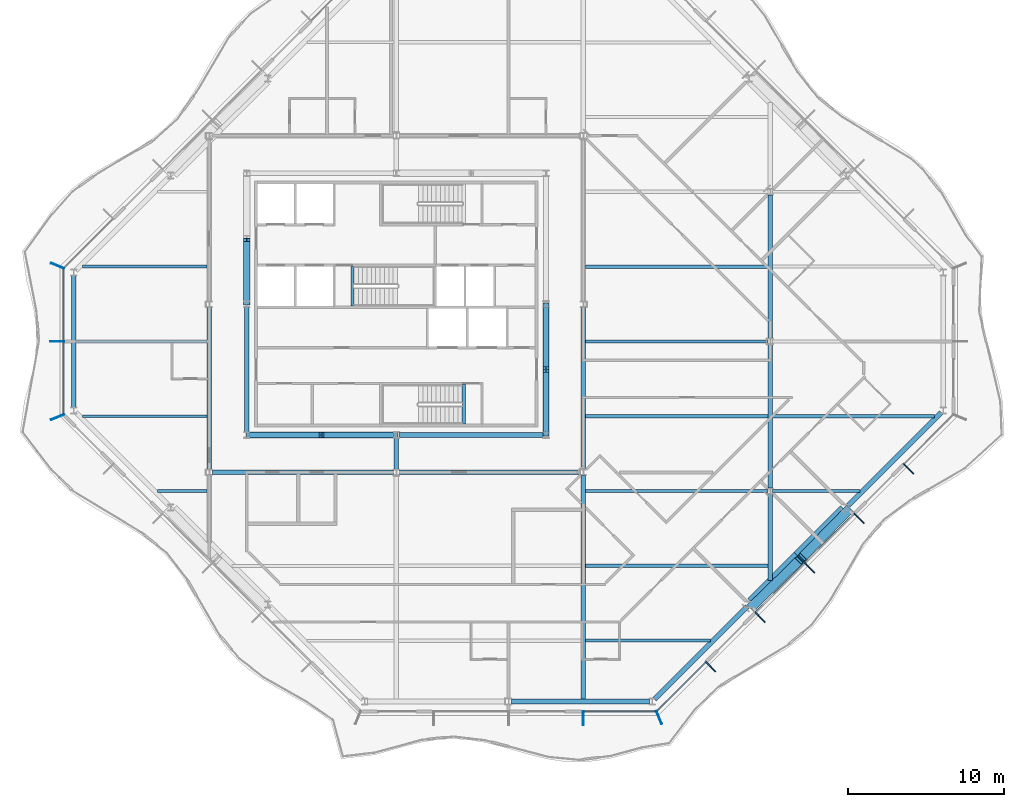
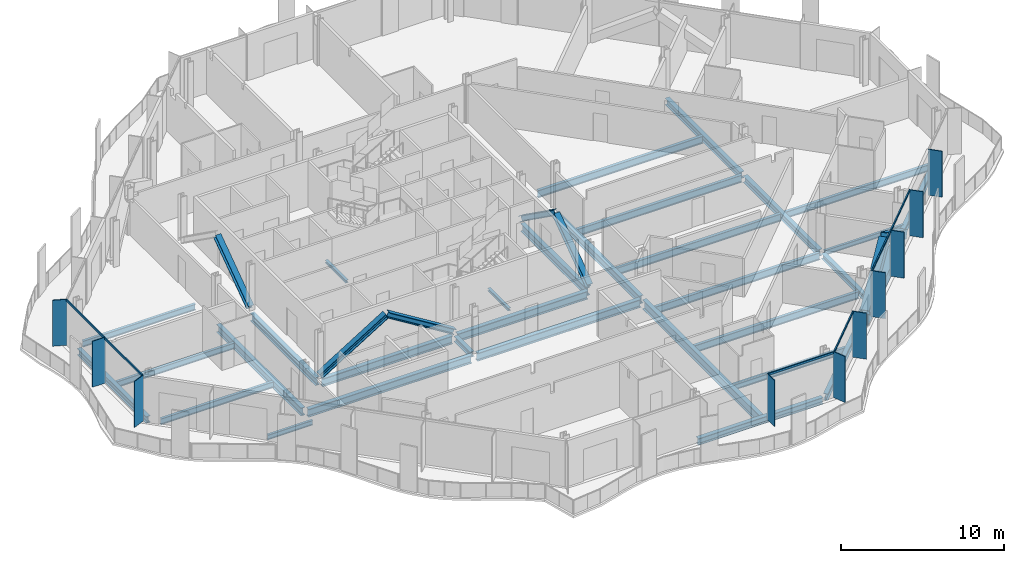
# One storey, part 3 of 17: 33 beams, 23 members, 4 elements without a shape of their own.
"""IFC4 building model written with IfcOpenShell, lengths in metres."""

import ifcopenshell
import ifcopenshell.guid

model = None  # the IFC model being written
_history = None  # IfcOwnerHistory: only IFC2X3 demands one
_inside = {}  # id of a spatial element -> (the spatial element, [elements in it])
_under = {}  # id of a project, library or spatial element -> (it, [spatial elements below it])
_declared = {}  # id of a project -> (the project, [libraries it declares])
_typed = {}  # id of a type object -> (the type object, [elements of that type])
_made_of = {}  # id of a material, layer set ... -> (it, [elements and type objects made of it])


def new_model(schema):
    """Start an empty IFC model of exactly this schema.

    Asked for "IFC4X3", IfcOpenShell would pick the latest addendum, in which some entities
    have other attributes; the version numbers below select the first issue.
    IFC2X3 requires an IfcOwnerHistory on every rooted entity: one is made here for all.
    """
    global model, _history
    if schema == "IFC4X3":
        model = ifcopenshell.file(schema_version=(4, 3, 0, 0))
    else:
        model = ifcopenshell.file(schema=schema)
    _inside.clear()
    _under.clear()
    _declared.clear()
    _typed.clear()
    _made_of.clear()
    _history = None
    if model.schema == "IFC2X3":
        org = make("IfcOrganization", Name="unknown")
        user = make(
            "IfcPersonAndOrganization",
            ThePerson=make("IfcPerson", FamilyName="unknown"),
            TheOrganization=org,
        )
        app = make(
            "IfcApplication",
            ApplicationDeveloper=org,
            Version="unknown",
            ApplicationFullName="unknown",
            ApplicationIdentifier="unknown",
        )
        _history = make(
            "IfcOwnerHistory",
            OwningUser=user,
            OwningApplication=app,
            ChangeAction="ADDED",
            CreationDate=0,
        )
    return model


def make(cls, **values):
    """One entity of the class cls with the attributes given. An attribute that is None is left unset."""
    return model.create_entity(
        cls, **{name: value for name, value in values.items() if value is not None}
    )


def rooted(cls, **values):
    """An entity with a GlobalId (a new one), such as an element, a storey or a relation."""
    return make(cls, GlobalId=ifcopenshell.guid.new(), OwnerHistory=_history, **values)


def si_unit(unit_type, name, prefix=None):
    """IfcSIUnit, for example si_unit("LENGTHUNIT", "METRE", prefix="MILLI")."""
    return make("IfcSIUnit", UnitType=unit_type, Prefix=prefix, Name=name)


def assignment(units):
    """IfcUnitAssignment: the units of a project."""
    return None if units is None else make("IfcUnitAssignment", Units=units)


def point(xyz):
    """IfcCartesianPoint."""
    return None if xyz is None else make("IfcCartesianPoint", Coordinates=xyz)


def direction(xyz):
    """IfcDirection."""
    return None if xyz is None else make("IfcDirection", DirectionRatios=xyz)


def frame(location, z_axis=None, x_axis=None):
    """IfcAxis2Placement3D, a coordinate frame: its origin and axes. An axis left out is left unset."""
    return make(
        "IfcAxis2Placement3D",
        Location=point(location),
        Axis=direction(z_axis),
        RefDirection=direction(x_axis),
    )


def frame_2d(location, x_axis=None):
    """IfcAxis2Placement2D, a coordinate frame in the plane: its origin and x axis."""
    return make(
        "IfcAxis2Placement2D", Location=point(location), RefDirection=direction(x_axis)
    )


def origin():
    """The frame at (0, 0, 0) with its axes left unset."""
    return frame((0.0, 0.0, 0.0))


def origin_2d():
    """The frame at (0, 0) in the plane with its x axis left unset."""
    return frame_2d((0.0, 0.0))


def place(relative_to, where):
    """IfcLocalPlacement: puts the frame where relative to a parent placement (None: the world)."""
    return make(
        "IfcLocalPlacement", PlacementRelTo=relative_to, RelativePlacement=where
    )


def context(
    kind, dimensions, precision=None, world=None, true_north=None, identifier=None
):
    """IfcGeometricRepresentationContext, for example the 3D "Model" context."""
    return make(
        "IfcGeometricRepresentationContext",
        ContextIdentifier=identifier,
        ContextType=kind,
        CoordinateSpaceDimension=dimensions,
        Precision=precision,
        WorldCoordinateSystem=world,
        TrueNorth=true_north,
    )


def subcontext(parent, identifier, kind, view, scale=None):
    """IfcGeometricRepresentationSubContext, for example "Body" below "Model"."""
    return make(
        "IfcGeometricRepresentationSubContext",
        ContextIdentifier=identifier,
        ContextType=kind,
        ParentContext=parent,
        TargetScale=scale,
        TargetView=view,
    )


def project(units=None, contexts=None):
    """IfcProject with its units and contexts."""
    return rooted(
        "IfcProject",
        Name="project",
        RepresentationContexts=contexts,
        UnitsInContext=assignment(units),
    )


def spatial(cls, under=None, at=None, **own):
    """A site, building, storey or space (cls), placed at a placement, below another one or the project."""
    s = rooted(cls, ObjectPlacement=at, **own)
    if under is not None:
        _under.setdefault(under.id(), (under, []))[1].append(s)
    return s


def profile(cls, at=None, kind="AREA", **sizes):
    """A parametric profile (cls). Its sizes go by their IFC names, for example OverallWidth=200.0."""
    return make(cls, ProfileType=kind, Position=at, **sizes)


def rectangle(**sizes):
    """IfcRectangleProfileDef."""
    return profile("IfcRectangleProfileDef", **sizes)


def hollow_rectangle(**sizes):
    """IfcRectangleHollowProfileDef."""
    return profile("IfcRectangleHollowProfileDef", **sizes)


def i_section(**sizes):
    """IfcIShapeProfileDef."""
    return profile("IfcIShapeProfileDef", **sizes)


def extrude(swept, where, along, depth):
    """IfcExtrudedAreaSolid: the profile swept, set in the frame where, extruded along a direction by depth."""
    return make(
        "IfcExtrudedAreaSolid",
        SweptArea=swept,
        Position=where,
        ExtrudedDirection=direction(along),
        Depth=depth,
    )


def shape(context_of_items, identifier, shape_type, items):
    """IfcShapeRepresentation: the items that make up one representation, for example the "Body"."""
    return make(
        "IfcShapeRepresentation",
        ContextOfItems=context_of_items,
        RepresentationIdentifier=identifier,
        RepresentationType=shape_type,
        Items=items,
    )


def material(Name=None, Category=None):
    """IfcMaterial."""
    return make("IfcMaterial", Name=Name, Category=Category)


def material_profile(
    of_material, cross_section, Name=None, Category=None, Priority=None
):
    """IfcMaterialProfile: a cross section and its material."""
    return make(
        "IfcMaterialProfile",
        Name=Name,
        Material=of_material,
        Profile=cross_section,
        Priority=Priority,
        Category=Category,
    )


def profile_set(profiles, Name=None, composite=None):
    """IfcMaterialProfileSet."""
    return make(
        "IfcMaterialProfileSet",
        Name=Name,
        MaterialProfiles=profiles,
        CompositeProfile=composite,
    )


def made_of(thing, what):
    """Note that an element or type object is made of a material, layer set ...; save() writes the relation."""
    if what is not None:
        _made_of.setdefault(what.id(), (what, []))[1].append(thing)
    return thing


def type_object(cls, material=None, **own):
    """A type object (cls), such as IfcWallType, which elements share."""
    return made_of(rooted(cls, **own), material)


def element(
    cls,
    number,
    at=None,
    inside=None,
    cuts=None,
    type_object=None,
    material=None,
    context=None,
    identifier="Body",
    shape_type=None,
    held_by="IfcProductDefinitionShape",
    body=None,
    shapes=None,
    **own,
):
    """One element of the class cls, such as IfcWall. Its Tag is "e" and its number.

    at: its placement. inside: the storey or other place that contains it. cuts: it is an
    opening in that element (IfcRelVoidsElement). A single representation is given by context,
    identifier, shape_type and body (its items); several are given by shapes. held_by: the class
    of the entity that holds the representations. save() writes the other relations.
    """
    e = rooted(cls, Tag="e%d" % number, ObjectPlacement=at, **own)
    if body is not None:
        shapes = [shape(context, identifier, shape_type, body)]
    if shapes is not None:
        e.Representation = make(held_by, Representations=shapes)
    if inside is not None:
        _inside.setdefault(inside.id(), (inside, []))[1].append(e)
    if cuts is not None:
        rooted(
            "IfcRelVoidsElement", RelatingBuildingElement=cuts, RelatedOpeningElement=e
        )
    if type_object is not None:
        _typed.setdefault(type_object.id(), (type_object, []))[1].append(e)
    return made_of(e, material)


def aggregate(whole, parts):
    """IfcRelAggregates: a whole, such as a stair, and the parts it consists of."""
    return rooted("IfcRelAggregates", RelatingObject=whole, RelatedObjects=parts)


def save(model, path):
    """Write the relations noted so far, then the file.

    IfcRelAggregates (storeys below a building ...), IfcRelContainedInSpatialStructure (elements
    in a storey), IfcRelDefinesByType, IfcRelAssociatesMaterial and IfcRelDeclares: one each for
    every whole, place, type object, material and project.
    """
    for whole, parts in _under.values():
        aggregate(whole, parts)
    for where, things in _inside.values():
        rooted(
            "IfcRelContainedInSpatialStructure",
            RelatedElements=things,
            RelatingStructure=where,
        )
    for kind, things in _typed.values():
        rooted("IfcRelDefinesByType", RelatedObjects=things, RelatingType=kind)
    for what, things in _made_of.values():
        rooted("IfcRelAssociatesMaterial", RelatedObjects=things, RelatingMaterial=what)
    for by, libraries in _declared.values():
        rooted("IfcRelDeclares", RelatingContext=by, RelatedDefinitions=libraries)
    model.write(path)


model = new_model("IFC4")

# Units and contexts
model_context = context("Model", 3, precision=1e-05, world=origin(), true_north=direction((0.0, 1.0)))
body_context = subcontext(model_context, "Body", "Model", "MODEL_VIEW")
ifc_project = project(units=[si_unit("LENGTHUNIT", "METRE"), si_unit("AREAUNIT", "SQUARE_METRE"), si_unit("VOLUMEUNIT", "CUBIC_METRE"), si_unit("PLANEANGLEUNIT", "RADIAN"), si_unit("MASSUNIT", "GRAM", prefix="KILO")], contexts=[model_context])

# Site, building, storey
site_placement = place(None, origin())
site = spatial("IfcSite", under=ifc_project, at=site_placement, CompositionType="ELEMENT")
building_placement = place(site_placement, origin())
building = spatial("IfcBuilding", under=site, at=building_placement, Name="Cairn Pilgrim Tower", CompositionType="ELEMENT")
storey_placement = place(building_placement, frame((0.0, 0.0, 232.199951171875)))
storey = spatial("IfcBuildingStorey", under=building, at=storey_placement, Name="L59", CompositionType="ELEMENT", Elevation=232.199951171875)

# Members
ifc_material_1 = material(Name="Structural steel S460M", Category="steel")
ifc_material_profile_1 = material_profile(ifc_material_1, hollow_rectangle(XDim=0.60009765625, YDim=0.60009765625, WallThickness=0.034912109375, at=origin_2d()), Name="BOX 600x600x35")
ifc_profile_set_1 = profile_set([ifc_material_profile_1], Name="Structural steel S460M")
member_type_1 = type_object("IfcMemberType", Name="BOX 600x600x35 BRACE", PredefinedType="BRACE", material=ifc_profile_set_1)
for number, where, z_axis, x_axis, name in (
    (1, (30.02392578125, -17.00146484375, 0.150146484375), (0.610009201523, 0.594778373814, 0.523571828979), (-0.698111810848, 0.715988756584, 0.0), "XB-SE2-SE3-1"),
    (2, (36.201416015625, -10.823974609375, 0.150146484375), (-0.594778373814, -0.610009201523, 0.523571828979), (0.715988756584, -0.698111810848, 0.0), "XB-SE2-SE3-2"),
):
    element("IfcMember", number, at=place(storey_placement, frame(where, z_axis=z_axis, x_axis=x_axis)), inside=storey, type_object=member_type_1, Name=name, PredefinedType="BRACE", context=body_context, shape_type="SweptSolid", body=[
        extrude(hollow_rectangle(XDim=0.60009765625, YDim=0.60009765625, WallThickness=0.034912109375, at=origin_2d()), origin(), (0.0, 0.0, 1.0), 5.033203125),
    ])

# Beams
ifc_material_2 = material(Name="Structural steel S355J2", Category="steel")
ifc_material_profile_2 = material_profile(ifc_material_2, hollow_rectangle(XDim=0.699951171875, YDim=0.800048828125, WallThickness=0.0400390625, at=origin_2d()), Name="BOX 700x800x40")
ifc_profile_set_2 = profile_set([ifc_material_profile_2], Name="Structural steel S355J2")
beam_type_1 = type_object("IfcBeamType", Name="BOX 700x800x40 RING GIRDER", PredefinedType="SPANDREL", material=ifc_profile_set_2)
beam_1_placement = place(storey_placement, frame((29.98388671875, -16.743408203125, -0.550048828125), z_axis=(0.707106781187, 0.707106781187, 0.0), x_axis=(-0.707106781187, 0.707106781187, 0.0)))
element("IfcBeam", 3, at=beam_1_placement, inside=storey, type_object=beam_type_1, Name="RG3-SE2-SE3-1", PredefinedType="SPANDREL", context=body_context, shape_type="SweptSolid", body=[
    extrude(hollow_rectangle(XDim=0.699951171875, YDim=0.800048828125, WallThickness=0.0400390625, at=origin_2d()), origin(), (0.0, 0.0, 1.0), 4.2138671875),
])
beam_2_placement = place(storey_placement, frame((32.963623046875, -13.763671875, -0.550048828125), z_axis=(0.707077813866, 0.707135747321, 0.0), x_axis=(-0.707135747321, 0.707077813866, 0.0)))
element("IfcBeam", 4, at=beam_2_placement, inside=storey, type_object=beam_type_1, Name="RG3-SE2-SE3-2", PredefinedType="SPANDREL", context=body_context, shape_type="SweptSolid", body=[
    extrude(hollow_rectangle(XDim=0.699951171875, YDim=0.800048828125, WallThickness=0.0400390625, at=origin_2d()), origin(), (0.0, 0.0, 1.0), 4.214111328125),
])

# Curtain wall, member
ifc_material_3 = material(Name="Aluminium alloy 6063-T6 bronze anodised with Bronze tinted laminated low-E glass 8+16+8.8", Category="aluminium")
curtain_wall_type_1 = type_object("IfcCurtainWallType", Name="TOWER STICK CURTAIN WALL NS", PredefinedType="NOTDEFINED", material=ifc_material_3)
curtain_wall_1_placement = place(storey_placement, origin())
curtain_wall_1 = element("IfcCurtainWall", 5, at=curtain_wall_1_placement, inside=storey, type_object=curtain_wall_type_1, Name="Tower Stick Curtain Wall Ns S", PredefinedType="NOTDEFINED")
ifc_material_4 = material(Name="Aluminium alloy 6063-T6 bronze anodised", Category="aluminium")
ifc_material_profile_3 = material_profile(ifc_material_4, rectangle(XDim=0.89990234375, YDim=0.06005859375, at=origin_2d()), Name="FIN MULLION 60x900 BRONZE")
ifc_profile_set_3 = profile_set([ifc_material_profile_3], Name="Aluminium alloy 6063-T6 bronze anodised")
member_type_2 = type_object("IfcMemberType", Name="FIN MULLION 60x900 BRONZE", PredefinedType="MULLION", material=ifc_profile_set_3)
member_1_placement = place(storey_placement, frame((19.199951171875, -24.169921875, 0.0), z_axis=(0.0, 0.0, 1.0), x_axis=(0.0, -1.0, 0.0)))
member_1 = element("IfcMember", 6, at=member_1_placement, type_object=member_type_2, Name="Fin mullion S4", PredefinedType="MULLION", context=body_context, shape_type="SweptSolid", body=[
    extrude(rectangle(XDim=0.89990234375, YDim=0.06005859375, at=origin_2d()), origin(), (0.0, 0.0, 1.0), 3.449951171875),
])

# Curtain wall, members
curtain_wall_type_2 = type_object("IfcCurtainWallType", Name="CHAMFER CORNER CURTAIN WALL", PredefinedType="NOTDEFINED", material=ifc_material_3)
curtain_wall_2_placement = place(storey_placement, origin())
curtain_wall_2 = element("IfcCurtainWall", 7, at=curtain_wall_2_placement, inside=storey, type_object=curtain_wall_type_2, Name="Chamfer Corner Curtain Wall SE", PredefinedType="NOTDEFINED")
member_2_placement = place(storey_placement, frame((24.05712890625, -24.137939453125, 0.0), z_axis=(0.0, 0.0, 1.0), x_axis=(0.382683432365, -0.923879532511, 0.0)))
member_2 = element("IfcMember", 8, at=member_2_placement, type_object=member_type_2, Name="Fin mullion SE1", PredefinedType="MULLION", context=body_context, shape_type="SweptSolid", body=[
    extrude(rectangle(XDim=0.89990234375, YDim=0.06005859375, at=origin_2d()), origin(), (0.0, 0.0, 1.0), 3.449951171875),
])
member_3_placement = place(storey_placement, frame((27.369140625, -20.871337890625, 0.0), z_axis=(0.0, 0.0, 1.0), x_axis=(0.707106781187, -0.707106781187, 0.0)))
member_3 = element("IfcMember", 9, at=member_3_placement, type_object=member_type_2, Name="Fin mullion SE2", PredefinedType="MULLION", context=body_context, shape_type="SweptSolid", body=[
    extrude(rectangle(XDim=0.89990234375, YDim=0.06005859375, at=origin_2d()), origin(), (0.0, 0.0, 1.0), 3.449951171875),
])
member_4_placement = place(storey_placement, frame((30.544677734375, -17.69580078125, 0.0), z_axis=(0.0, 0.0, 1.0), x_axis=(0.707106781187, -0.707106781187, 0.0)))
member_4 = element("IfcMember", 10, at=member_4_placement, type_object=member_type_2, Name="Fin mullion SE3", PredefinedType="MULLION", context=body_context, shape_type="SweptSolid", body=[
    extrude(rectangle(XDim=0.89990234375, YDim=0.06005859375, at=origin_2d()), origin(), (0.0, 0.0, 1.0), 3.449951171875),
])
member_5_placement = place(storey_placement, frame((33.72021484375, -14.520263671875, 0.0), z_axis=(0.0, 0.0, 1.0), x_axis=(0.707106781187, -0.707106781187, 0.0)))
member_5 = element("IfcMember", 11, at=member_5_placement, type_object=member_type_2, Name="Fin mullion SE4", PredefinedType="MULLION", context=body_context, shape_type="SweptSolid", body=[
    extrude(rectangle(XDim=0.89990234375, YDim=0.06005859375, at=origin_2d()), origin(), (0.0, 0.0, 1.0), 3.449951171875),
])
member_6_placement = place(storey_placement, frame((36.895751953125, -11.3447265625, 0.0), z_axis=(0.0, 0.0, 1.0), x_axis=(0.707106781187, -0.707106781187, 0.0)))
member_6 = element("IfcMember", 12, at=member_6_placement, type_object=member_type_2, Name="Fin mullion SE5", PredefinedType="MULLION", context=body_context, shape_type="SweptSolid", body=[
    extrude(rectangle(XDim=0.89990234375, YDim=0.06005859375, at=origin_2d()), origin(), (0.0, 0.0, 1.0), 3.449951171875),
])
member_7_placement = place(storey_placement, frame((40.0712890625, -8.1689453125, 0.0), z_axis=(0.0, 0.0, 1.0), x_axis=(0.707106781187, -0.707106781187, 0.0)))
member_7 = element("IfcMember", 13, at=member_7_placement, type_object=member_type_2, Name="Fin mullion SE6", PredefinedType="MULLION", context=body_context, shape_type="SweptSolid", body=[
    extrude(rectangle(XDim=0.89990234375, YDim=0.06005859375, at=origin_2d()), origin(), (0.0, 0.0, 1.0), 3.449951171875),
])

curtain_wall_type_3 = type_object("IfcCurtainWallType", Name="TOWER STICK CURTAIN WALL EW", PredefinedType="NOTDEFINED", material=ifc_material_3)
curtain_wall_3_placement = place(storey_placement, origin())
curtain_wall_3 = element("IfcCurtainWall", 14, at=curtain_wall_3_placement, inside=storey, type_object=curtain_wall_type_3, Name="Tower Stick Curtain Wall Ew W", PredefinedType="NOTDEFINED")
member_8_placement = place(storey_placement, frame((-14.5380859375, 4.857177734375, 0.0), z_axis=(0.0, 0.0, 1.0), x_axis=(-0.923879532511, 0.382683432365, 0.0)))
member_8 = element("IfcMember", 15, at=member_8_placement, type_object=member_type_2, Name="Fin mullion W1", PredefinedType="MULLION", context=body_context, shape_type="SweptSolid", body=[
    extrude(rectangle(XDim=0.89990234375, YDim=0.06005859375, at=origin_2d()), origin(), (0.0, 0.0, 1.0), 3.449951171875),
])
member_9_placement = place(storey_placement, frame((-14.570068359375, 0.0, 0.0), z_axis=(0.0, 0.0, 1.0), x_axis=(-1.0, 0.0, 0.0)))
member_9 = element("IfcMember", 16, at=member_9_placement, type_object=member_type_2, Name="Fin mullion W2", PredefinedType="MULLION", context=body_context, shape_type="SweptSolid", body=[
    extrude(rectangle(XDim=0.89990234375, YDim=0.06005859375, at=origin_2d()), origin(), (0.0, 0.0, 1.0), 3.449951171875),
])

# Curtain wall, member
curtain_wall_4_placement = place(storey_placement, origin())
curtain_wall_4 = element("IfcCurtainWall", 17, at=curtain_wall_4_placement, inside=storey, type_object=curtain_wall_type_2, Name="Chamfer Corner Curtain Wall SW", PredefinedType="NOTDEFINED")
member_10_placement = place(storey_placement, frame((-14.5380859375, -4.857177734375, 0.0), z_axis=(0.0, 0.0, 1.0), x_axis=(-0.923879532511, -0.382683432365, 0.0)))
member_10 = element("IfcMember", 18, at=member_10_placement, type_object=member_type_2, Name="Fin mullion SW1", PredefinedType="MULLION", context=body_context, shape_type="SweptSolid", body=[
    extrude(rectangle(XDim=0.89990234375, YDim=0.06005859375, at=origin_2d()), origin(), (0.0, 0.0, 1.0), 3.449951171875),
])
aggregate(curtain_wall_4, [member_10])

# Members
ifc_material_profile_4 = material_profile(ifc_material_2, i_section(OverallWidth=0.39794921875, OverallDepth=0.386962890625, WebThickness=0.02099609375, FlangeThickness=0.033203125, FilletRadius=0.014892578125, at=origin_2d()), Name="HD 400x262")
ifc_profile_set_4 = profile_set([ifc_material_profile_4], Name="Structural steel S355J2")
member_type_3 = type_object("IfcMemberType", Name="HD 400x262 BRACE", PredefinedType="BRACE", material=ifc_profile_set_4)
member_11_placement = place(storey_placement, frame((-2.359619140625, -6.0, 0.10009765625), z_axis=(0.851180404412, 0.0, 0.524873241025), x_axis=(0.0, 1.0, 0.0)))
element("IfcMember", 19, at=member_11_placement, inside=storey, type_object=member_type_3, Name="KB-1A", PredefinedType="BRACE", context=body_context, shape_type="SweptSolid", body=[
    extrude(i_section(OverallWidth=0.39794921875, OverallDepth=0.386962890625, WebThickness=0.02099609375, FlangeThickness=0.033203125, FilletRadius=0.014892578125, at=origin_2d()), origin(), (0.0, 0.0, 1.0), 5.529052734375),
])
member_12_placement = place(storey_placement, frame((7.15966796875, -6.0, 0.10009765625), z_axis=(-0.851192568136, 0.0, 0.524853514754), x_axis=(0.0, -1.0, 0.0)))
element("IfcMember", 20, at=member_12_placement, inside=storey, type_object=member_type_3, Name="KB-1B", PredefinedType="BRACE", context=body_context, shape_type="SweptSolid", body=[
    extrude(i_section(OverallWidth=0.39794921875, OverallDepth=0.386962890625, WebThickness=0.02099609375, FlangeThickness=0.033203125, FilletRadius=0.014892578125, at=origin_2d()), origin(), (0.0, 0.0, 1.0), 5.529296875),
])
member_13_placement = place(storey_placement, frame((16.800048828125, -5.959716796875, 0.10009765625), z_axis=(0.0, 0.814429122825, 0.580263047155), x_axis=(-1.0, 0.0, 0.0)))
element("IfcMember", 21, at=member_13_placement, inside=storey, type_object=member_type_3, Name="KB-2A", PredefinedType="BRACE", context=body_context, shape_type="SweptSolid", body=[
    extrude(i_section(OverallWidth=0.39794921875, OverallDepth=0.386962890625, WebThickness=0.02099609375, FlangeThickness=0.033203125, FilletRadius=0.014892578125, at=origin_2d()), origin(), (0.0, 0.0, 1.0), 4.999267578125),
])
for number, where, z_axis, x_axis, name in (
    (22, (16.800048828125, 2.359619140625, 0.10009765625), (0.0, -0.814412678688, 0.580286126659), (1.0, 0.0, 0.0), "KB-2B"),
    (23, (-2.39990234375, 2.4404296875, 0.10009765625), (0.0, 0.814412678688, 0.580286126659), (-1.0, 0.0, 0.0), "KB-4B"),
):
    element("IfcMember", number, at=place(storey_placement, frame(where, z_axis=z_axis, x_axis=x_axis)), inside=storey, type_object=member_type_3, Name=name, PredefinedType="BRACE", context=body_context, shape_type="SweptSolid", body=[
        extrude(i_section(OverallWidth=0.39794921875, OverallDepth=0.386962890625, WebThickness=0.02099609375, FlangeThickness=0.033203125, FilletRadius=0.014892578125, at=origin_2d()), origin(), (0.0, 0.0, 1.0), 4.9990234375),
    ])

# Beams
ifc_material_profile_5 = material_profile(ifc_material_2, i_section(OverallWidth=0.300048828125, OverallDepth=0.39990234375, WebThickness=0.013427734375, FlangeThickness=0.02392578125, FilletRadius=0.027099609375, at=origin_2d()), Name="HEB 400")
ifc_profile_set_5 = profile_set([ifc_material_profile_5], Name="Structural steel S355J2")
beam_type_2 = type_object("IfcBeamType", Name="HEB 400 GIRDER", PredefinedType="BEAM", material=ifc_profile_set_5)
beam_3_placement = place(storey_placement, frame((7.199951171875, -8.200439453125, -0.349853515625), z_axis=(0.0, 1.0, 0.0), x_axis=(-1.0, 0.0, 0.0)))
element("IfcBeam", 24, at=beam_3_placement, inside=storey, type_object=beam_type_2, Name="PG3-E1", PredefinedType="BEAM", context=body_context, shape_type="SweptSolid", body=[
    extrude(i_section(OverallWidth=0.300048828125, OverallDepth=0.39990234375, WebThickness=0.013427734375, FlangeThickness=0.02392578125, FilletRadius=0.027099609375, at=origin_2d()), origin(), (0.0, 0.0, 1.0), 1.99853515625),
])
beam_4_placement = place(storey_placement, frame((31.199951171875, -15.34521484375, -0.349853515625), z_axis=(0.0, 1.0, 0.0), x_axis=(-1.0, 0.0, 0.0)))
element("IfcBeam", 25, at=beam_4_placement, inside=storey, type_object=beam_type_2, Name="PG5-1", PredefinedType="BEAM", context=body_context, shape_type="SweptSolid", body=[
    extrude(i_section(OverallWidth=0.300048828125, OverallDepth=0.39990234375, WebThickness=0.013427734375, FlangeThickness=0.02392578125, FilletRadius=0.027099609375, at=origin_2d()), origin(), (0.0, 0.0, 1.0), 5.545654296875),
])
ifc_material_profile_6 = material_profile(ifc_material_2, i_section(OverallWidth=0.300048828125, OverallDepth=0.5, WebThickness=0.014404296875, FlangeThickness=0.028076171875, FilletRadius=0.027099609375, at=origin_2d()), Name="HEB 500")
ifc_profile_set_6 = profile_set([ifc_material_profile_6], Name="Structural steel S355J2")
beam_type_3 = type_object("IfcBeamType", Name="HEB 500 GIRDER", PredefinedType="BEAM", material=ifc_profile_set_6)
for number, where, z_axis, x_axis, name in (
    (26, (31.199951171875, -9.400390625, -0.39990234375), (0.0, 1.0, 0.0), (-1.0, 0.0, 0.0), "PG5-2"),
    (27, (31.199951171875, 0.199462890625, -0.39990234375), (0.0, 1.0, 0.0), (-1.0, 0.0, 0.0), "PG5-3"),
):
    element("IfcBeam", number, at=place(storey_placement, frame(where, z_axis=z_axis, x_axis=x_axis)), inside=storey, type_object=beam_type_3, Name=name, PredefinedType="BEAM", context=body_context, shape_type="SweptSolid", body=[
        extrude(i_section(OverallWidth=0.300048828125, OverallDepth=0.5, WebThickness=0.014404296875, FlangeThickness=0.028076171875, FilletRadius=0.027099609375, at=origin_2d()), origin(), (0.0, 0.0, 1.0), 9.200927734375),
    ])
ifc_material_profile_7 = material_profile(ifc_material_2, i_section(OverallWidth=0.300048828125, OverallDepth=0.5, WebThickness=0.014404296875, FlangeThickness=0.028076171875, FilletRadius=0.027099609375, at=origin_2d()), Name="HEB 500")
ifc_profile_set_7 = profile_set([ifc_material_profile_7], Name="Structural steel S355J2")
beam_type_4 = type_object("IfcBeamType", Name="HEB 500 RING GIRDER", PredefinedType="SPANDREL", material=ifc_profile_set_7)
beam_5_placement = place(storey_placement, frame((14.587158203125, -23.10009765625, -0.39990234375), z_axis=(1.0, 0.0, 0.0), x_axis=(0.0, 1.0, 0.0)))
element("IfcBeam", 28, at=beam_5_placement, inside=storey, type_object=beam_type_4, Name="RG3-S2-SE1", PredefinedType="SPANDREL", context=body_context, shape_type="SweptSolid", body=[
    extrude(i_section(OverallWidth=0.300048828125, OverallDepth=0.5, WebThickness=0.014404296875, FlangeThickness=0.028076171875, FilletRadius=0.027099609375, at=origin_2d()), origin(), (0.0, 0.0, 1.0), 8.852783203125),
])
for number, where, z_axis, x_axis, name in (
    (29, (23.759521484375, -22.967529296875, -0.39990234375), (0.707106781187, 0.707106781187, 0.0), (-0.707106781187, 0.707106781187, 0.0), "RG3-SE1-SE2"),
    (30, (36.2080078125, -10.51904296875, -0.39990234375), (0.707106781187, 0.707106781187, 0.0), (-0.707106781187, 0.707106781187, 0.0), "RG3-SE3-E1"),
):
    element("IfcBeam", number, at=place(storey_placement, frame(where, z_axis=z_axis, x_axis=x_axis)), inside=storey, type_object=beam_type_4, Name=name, PredefinedType="SPANDREL", context=body_context, shape_type="SweptSolid", body=[
        extrude(i_section(OverallWidth=0.300048828125, OverallDepth=0.5, WebThickness=0.014404296875, FlangeThickness=0.028076171875, FilletRadius=0.027099609375, at=origin_2d()), origin(), (0.0, 0.0, 1.0), 8.427978515625),
    ])
beam_6_placement = place(storey_placement, frame((-13.5, 4.239990234375, -0.39990234375), z_axis=(0.0, -1.0, 0.0), x_axis=(1.0, 0.0, 0.0)))
element("IfcBeam", 31, at=beam_6_placement, inside=storey, type_object=beam_type_4, Name="RG3-W1-SW1", PredefinedType="SPANDREL", context=body_context, shape_type="SweptSolid", body=[
    extrude(i_section(OverallWidth=0.300048828125, OverallDepth=0.5, WebThickness=0.014404296875, FlangeThickness=0.028076171875, FilletRadius=0.027099609375, at=origin_2d()), origin(), (0.0, 0.0, 1.0), 8.47998046875),
])
ifc_material_profile_8 = material_profile(ifc_material_2, i_section(OverallWidth=0.300048828125, OverallDepth=0.60009765625, WebThickness=0.015380859375, FlangeThickness=0.030029296875, FilletRadius=0.027099609375, at=origin_2d()), Name="HEB 600")
ifc_profile_set_8 = profile_set([ifc_material_profile_8], Name="Structural steel S355J2")
beam_type_5 = type_object("IfcBeamType", Name="HEB 600 CORE BEAM", PredefinedType="BEAM", material=ifc_profile_set_8)
beam_7_placement = place(storey_placement, frame((-2.21826171875, -6.0, -0.449951171875), z_axis=(1.0, 0.0, 0.0), x_axis=(0.0, 1.0, 0.0)))
element("IfcBeam", 32, at=beam_7_placement, inside=storey, type_object=beam_type_5, Name="CB-1", PredefinedType="BEAM", context=body_context, shape_type="SweptSolid", body=[
    extrude(i_section(OverallWidth=0.300048828125, OverallDepth=0.60009765625, WebThickness=0.015380859375, FlangeThickness=0.030029296875, FilletRadius=0.027099609375, at=origin_2d()), origin(), (0.0, 0.0, 1.0), 9.236572265625),
])
beam_8_placement = place(storey_placement, frame((7.3818359375, -6.0, -0.449951171875), z_axis=(1.0, 0.0, 0.0), x_axis=(0.0, 1.0, 0.0)))
element("IfcBeam", 33, at=beam_8_placement, inside=storey, type_object=beam_type_5, Name="CB-2", PredefinedType="BEAM", context=body_context, shape_type="SweptSolid", body=[
    extrude(i_section(OverallWidth=0.300048828125, OverallDepth=0.60009765625, WebThickness=0.015380859375, FlangeThickness=0.030029296875, FilletRadius=0.027099609375, at=origin_2d()), origin(), (0.0, 0.0, 1.0), 9.236328125),
])
for number, where, z_axis, x_axis, name in (
    (34, (16.800048828125, -5.818115234375, -0.449951171875), (0.0, 1.0, 0.0), (-1.0, 0.0, 0.0), "CB-3"),
    (35, (-2.39990234375, 2.21826171875, -0.449951171875), (0.0, -1.0, 0.0), (1.0, 0.0, 0.0), "CB-8"),
):
    element("IfcBeam", number, at=place(storey_placement, frame(where, z_axis=z_axis, x_axis=x_axis)), inside=storey, type_object=beam_type_5, Name=name, PredefinedType="BEAM", context=body_context, shape_type="SweptSolid", body=[
        extrude(i_section(OverallWidth=0.300048828125, OverallDepth=0.60009765625, WebThickness=0.015380859375, FlangeThickness=0.030029296875, FilletRadius=0.027099609375, at=origin_2d()), origin(), (0.0, 0.0, 1.0), 8.036376953125),
    ])
ifc_material_profile_9 = material_profile(ifc_material_2, i_section(OverallWidth=0.300048828125, OverallDepth=0.60009765625, WebThickness=0.015380859375, FlangeThickness=0.030029296875, FilletRadius=0.027099609375, at=origin_2d()), Name="HEB 600")
ifc_profile_set_9 = profile_set([ifc_material_profile_9], Name="Structural steel S355J2")
beam_type_6 = type_object("IfcBeamType", Name="HEB 600 GIRDER", PredefinedType="BEAM", material=ifc_profile_set_9)
for number, where, z_axis, x_axis, name in (
    (36, (-4.800048828125, -8.200439453125, -0.449951171875), (0.0, 1.0, 0.0), (-1.0, 0.0, 0.0), "PG2-2"),
    (37, (19.199951171875, -8.200439453125, -0.449951171875), (0.0, 1.0, 0.0), (-1.0, 0.0, 0.0), "PG4-2"),
):
    element("IfcBeam", number, at=place(storey_placement, frame(where, z_axis=z_axis, x_axis=x_axis)), inside=storey, type_object=beam_type_6, Name=name, PredefinedType="BEAM", context=body_context, shape_type="SweptSolid", body=[
        extrude(i_section(OverallWidth=0.300048828125, OverallDepth=0.60009765625, WebThickness=0.015380859375, FlangeThickness=0.030029296875, FilletRadius=0.027099609375, at=origin_2d()), origin(), (0.0, 0.0, 1.0), 10.40087890625),
    ])
ifc_material_profile_10 = material_profile(ifc_material_2, i_section(OverallWidth=0.300048828125, OverallDepth=0.60009765625, WebThickness=0.015380859375, FlangeThickness=0.030029296875, FilletRadius=0.027099609375, at=origin_2d()), Name="HEB 600")
ifc_profile_set_10 = profile_set([ifc_material_profile_10], Name="Structural steel S355J2")
beam_type_7 = type_object("IfcBeamType", Name="HEB 600 INNER GIRDER", PredefinedType="BEAM", material=ifc_profile_set_10)
for number, where, z_axis, x_axis, name in (
    (38, (-4.6005859375, -8.39990234375, -0.449951171875), (1.0, 0.0, 0.0), (0.0, 1.0, 0.0), "IG1-1"),
    (39, (7.3994140625, -8.39990234375, -0.449951171875), (1.0, 0.0, 0.0), (0.0, 1.0, 0.0), "IG1-2"),
):
    element("IfcBeam", number, at=place(storey_placement, frame(where, z_axis=z_axis, x_axis=x_axis)), inside=storey, type_object=beam_type_7, Name=name, PredefinedType="BEAM", context=body_context, shape_type="SweptSolid", body=[
        extrude(i_section(OverallWidth=0.300048828125, OverallDepth=0.60009765625, WebThickness=0.015380859375, FlangeThickness=0.030029296875, FilletRadius=0.027099609375, at=origin_2d()), origin(), (0.0, 0.0, 1.0), 11.60107421875),
    ])
ifc_material_profile_11 = material_profile(ifc_material_2, i_section(OverallWidth=0.300048828125, OverallDepth=0.699951171875, WebThickness=0.01708984375, FlangeThickness=0.031982421875, FilletRadius=0.027099609375, at=origin_2d()), Name="HEB 700")
ifc_profile_set_11 = profile_set([ifc_material_profile_11], Name="Structural steel S355J2")
beam_type_8 = type_object("IfcBeamType", Name="HEB 700 GIRDER", PredefinedType="BEAM", material=ifc_profile_set_11)
beam_9_placement = place(storey_placement, frame((19.199951171875, -22.97998046875, -0.5), z_axis=(0.0, 1.0, 0.0), x_axis=(-1.0, 0.0, 0.0)))
element("IfcBeam", 40, at=beam_9_placement, inside=storey, type_object=beam_type_8, Name="PG4-1", PredefinedType="BEAM", context=body_context, shape_type="SweptSolid", body=[
    extrude(i_section(OverallWidth=0.300048828125, OverallDepth=0.699951171875, WebThickness=0.01708984375, FlangeThickness=0.031982421875, FilletRadius=0.027099609375, at=origin_2d()), origin(), (0.0, 0.0, 1.0), 14.38037109375),
])
ifc_material_profile_12 = material_profile(ifc_material_2, i_section(OverallWidth=0.169921875, OverallDepth=0.360107421875, WebThickness=0.008056640625, FlangeThickness=0.0126953125, FilletRadius=0.01806640625, at=origin_2d()), Name="IPE 360")
ifc_profile_set_12 = profile_set([ifc_material_profile_12], Name="Structural steel S355J2")
beam_type_9 = type_object("IfcBeamType", Name="IPE 360 SECONDARY BEAM", PredefinedType="JOIST", material=ifc_profile_set_12)
beam_10_placement = place(storey_placement, frame((-8.14501953125, -9.60009765625, -0.329833984375), z_axis=(1.0, 0.0, 0.0), x_axis=(0.0, 1.0, 0.0)))
element("IfcBeam", 41, at=beam_10_placement, inside=storey, type_object=beam_type_9, Name="SB3-1", PredefinedType="JOIST", context=body_context, shape_type="SweptSolid", body=[
    extrude(i_section(OverallWidth=0.169921875, OverallDepth=0.360107421875, WebThickness=0.008056640625, FlangeThickness=0.0126953125, FilletRadius=0.01806640625, at=origin_2d()), origin(), (0.0, 0.0, 1.0), 3.195068359375),
])
beam_11_placement = place(storey_placement, frame((31.35009765625, -9.60009765625, -0.329833984375), z_axis=(1.0, 0.0, 0.0), x_axis=(0.0, 1.0, 0.0)))
element("IfcBeam", 42, at=beam_11_placement, inside=storey, type_object=beam_type_9, Name="SB3-3", PredefinedType="JOIST", context=body_context, shape_type="SweptSolid", body=[
    extrude(i_section(OverallWidth=0.169921875, OverallDepth=0.360107421875, WebThickness=0.008056640625, FlangeThickness=0.0126953125, FilletRadius=0.01806640625, at=origin_2d()), origin(), (0.0, 0.0, 1.0), 5.594970703125),
])
ifc_material_profile_13 = material_profile(ifc_material_2, i_section(OverallWidth=0.18994140625, OverallDepth=0.449951171875, WebThickness=0.009521484375, FlangeThickness=0.0146484375, FilletRadius=0.02099609375, at=origin_2d()), Name="IPE 450")
ifc_profile_set_13 = profile_set([ifc_material_profile_13], Name="Structural steel S355J2")
beam_type_10 = type_object("IfcBeamType", Name="IPE 450 SECONDARY BEAM", PredefinedType="JOIST", material=ifc_profile_set_13)
for number, where, z_axis, x_axis, name in (
    (43, (19.35009765625, -19.199951171875, -0.375), (1.0, 0.0, 0.0), (0.0, 1.0, 0.0), "SB1-3"),
    (44, (-12.945068359375, -4.800048828125, -0.375), (1.0, 0.0, 0.0), (0.0, 1.0, 0.0), "SB4-1"),
):
    element("IfcBeam", number, at=place(storey_placement, frame(where, z_axis=z_axis, x_axis=x_axis)), inside=storey, type_object=beam_type_10, Name=name, PredefinedType="JOIST", context=body_context, shape_type="SweptSolid", body=[
        extrude(i_section(OverallWidth=0.18994140625, OverallDepth=0.449951171875, WebThickness=0.009521484375, FlangeThickness=0.0146484375, FilletRadius=0.02099609375, at=origin_2d()), origin(), (0.0, 0.0, 1.0), 7.9951171875),
    ])
beam_12_placement = place(storey_placement, frame((-13.3798828125, 0.0, -0.375), z_axis=(1.0, 0.0, 0.0), x_axis=(0.0, 1.0, 0.0)))
element("IfcBeam", 45, at=beam_12_placement, inside=storey, type_object=beam_type_10, Name="SB5-1", PredefinedType="JOIST", context=body_context, shape_type="SweptSolid", body=[
    extrude(i_section(OverallWidth=0.18994140625, OverallDepth=0.449951171875, WebThickness=0.009521484375, FlangeThickness=0.0146484375, FilletRadius=0.02099609375, at=origin_2d()), origin(), (0.0, 0.0, 1.0), 8.429931640625),
])
beam_13_placement = place(storey_placement, frame((-12.945068359375, 4.800048828125, -0.375), z_axis=(1.0, 0.0, 0.0), x_axis=(0.0, 1.0, 0.0)))
element("IfcBeam", 46, at=beam_13_placement, inside=storey, type_object=beam_type_10, Name="SB6-1", PredefinedType="JOIST", context=body_context, shape_type="SweptSolid", body=[
    extrude(i_section(OverallWidth=0.18994140625, OverallDepth=0.449951171875, WebThickness=0.009521484375, FlangeThickness=0.0146484375, FilletRadius=0.02099609375, at=origin_2d()), origin(), (0.0, 0.0, 1.0), 7.9951171875),
])
ifc_material_profile_14 = material_profile(ifc_material_2, i_section(OverallWidth=0.199951171875, OverallDepth=0.5, WebThickness=0.01025390625, FlangeThickness=0.01611328125, FilletRadius=0.02099609375, at=origin_2d()), Name="IPE 500")
ifc_profile_set_14 = profile_set([ifc_material_profile_14], Name="Structural steel S355J2")
beam_type_11 = type_object("IfcBeamType", Name="IPE 500 SECONDARY BEAM", PredefinedType="JOIST", material=ifc_profile_set_14)
beam_14_placement = place(storey_placement, frame((31.35009765625, -4.800048828125, -0.39990234375), z_axis=(1.0, 0.0, 0.0), x_axis=(0.0, 1.0, 0.0)))
element("IfcBeam", 47, at=beam_14_placement, inside=storey, type_object=beam_type_11, Name="SB4-3", PredefinedType="JOIST", context=body_context, shape_type="SweptSolid", body=[
    extrude(i_section(OverallWidth=0.199951171875, OverallDepth=0.5, WebThickness=0.01025390625, FlangeThickness=0.01611328125, FilletRadius=0.02099609375, at=origin_2d()), origin(), (0.0, 0.0, 1.0), 10.39501953125),
])
ifc_material_profile_15 = material_profile(ifc_material_2, i_section(OverallWidth=0.2099609375, OverallDepth=0.550048828125, WebThickness=0.010986328125, FlangeThickness=0.01708984375, FilletRadius=0.02392578125, at=origin_2d()), Name="IPE 550")
ifc_profile_set_15 = profile_set([ifc_material_profile_15], Name="Structural steel S355J2")
beam_type_12 = type_object("IfcBeamType", Name="IPE 550 SECONDARY BEAM", PredefinedType="JOIST", material=ifc_profile_set_15)
for number, where, z_axis, x_axis, name in (
    (48, (19.35009765625, -14.39990234375, -0.425048828125), (1.0, 0.0, 0.0), (0.0, 1.0, 0.0), "SB2-3"),
    (49, (19.35009765625, -9.60009765625, -0.425048828125), (1.0, 0.0, 0.0), (0.0, 1.0, 0.0), "SB3-2"),
    (50, (19.35009765625, -4.800048828125, -0.425048828125), (1.0, 0.0, 0.0), (0.0, 1.0, 0.0), "SB4-2"),
    (51, (19.35009765625, 0.0, -0.425048828125), (1.0, 0.0, 0.0), (0.0, 1.0, 0.0), "SB5-2"),
    (52, (19.35009765625, 4.800048828125, -0.425048828125), (1.0, 0.0, 0.0), (0.0, 1.0, 0.0), "SB6-2"),
):
    element("IfcBeam", number, at=place(storey_placement, frame(where, z_axis=z_axis, x_axis=x_axis)), inside=storey, type_object=beam_type_12, Name=name, PredefinedType="JOIST", context=body_context, shape_type="SweptSolid", body=[
        extrude(i_section(OverallWidth=0.2099609375, OverallDepth=0.550048828125, WebThickness=0.010986328125, FlangeThickness=0.01708984375, FilletRadius=0.02392578125, at=origin_2d()), origin(), (0.0, 0.0, 1.0), 11.699951171875),
    ])
ifc_material_profile_16 = material_profile(ifc_material_2, i_section(OverallWidth=0.199951171875, OverallDepth=0.199951171875, WebThickness=0.009033203125, FlangeThickness=0.014892578125, FilletRadius=0.01806640625, at=origin_2d()), Name="HE 200 B")
ifc_profile_set_16 = profile_set([ifc_material_profile_16], Name="Structural steel S355J2")
beam_type_13 = type_object("IfcBeamType", Name="STAIR LANDING BEAM HE 200 B", PredefinedType="BEAM", material=ifc_profile_set_16)
beam_15_placement = place(storey_placement, frame((11.5244140625, -2.77490234375, -0.25), z_axis=(0.0, -1.0, 0.0), x_axis=(1.0, 0.0, 0.0)))
element("IfcBeam", 53, at=beam_15_placement, inside=storey, type_object=beam_type_13, Name="STAIR LANDING BEAM LD-HE200B", PredefinedType="BEAM", context=body_context, shape_type="SweptSolid", body=[
    extrude(i_section(OverallWidth=0.199951171875, OverallDepth=0.199951171875, WebThickness=0.009033203125, FlangeThickness=0.014892578125, FilletRadius=0.01806640625, at=origin_2d()), origin(), (0.0, 0.0, 1.0), 2.525146484375),
])
beam_16_placement = place(storey_placement, frame((4.37548828125, 2.27490234375, -0.25), z_axis=(0.0, 1.0, 0.0), x_axis=(-1.0, 0.0, 0.0)))
element("IfcBeam", 54, at=beam_16_placement, inside=storey, type_object=beam_type_13, Name="STAIR LANDING BEAM LD-HE200B", PredefinedType="BEAM", context=body_context, shape_type="SweptSolid", body=[
    extrude(i_section(OverallWidth=0.199951171875, OverallDepth=0.199951171875, WebThickness=0.009033203125, FlangeThickness=0.014892578125, FilletRadius=0.01806640625, at=origin_2d()), origin(), (0.0, 0.0, 1.0), 2.550048828125),
])

# Member
ifc_material_profile_17 = material_profile(ifc_material_4, rectangle(XDim=0.080078125, YDim=0.14990234375, at=origin_2d()), Name="TRANSOM 80x150 BRONZE")
ifc_profile_set_17 = profile_set([ifc_material_profile_17], Name="Aluminium alloy 6063-T6 bronze anodised")
member_type_4 = type_object("IfcMemberType", Name="TRANSOM 80x150 BRONZE", PredefinedType="USERDEFINED", material=ifc_profile_set_17)
member_14_placement = place(storey_placement, frame((19.22998046875, -23.75, 3.375), z_axis=(1.0, 0.0, 0.0), x_axis=(0.0, 1.0, 0.0)))
member_14 = element("IfcMember", 55, at=member_14_placement, type_object=member_type_4, Name="Transom S4", ObjectType="TRANSOM", PredefinedType="USERDEFINED", context=body_context, shape_type="SweptSolid", body=[
    extrude(rectangle(XDim=0.080078125, YDim=0.14990234375, at=origin_2d()), origin(), (0.0, 0.0, 1.0), 4.62646484375),
])

aggregate(curtain_wall_1, [member_1, member_14])

member_15_placement = place(storey_placement, frame((23.9248046875, -23.7216796875, 3.375), z_axis=(0.707106781187, 0.707106781187, 0.0), x_axis=(-0.707106781187, 0.707106781187, 0.0)))
member_15 = element("IfcMember", 56, at=member_15_placement, type_object=member_type_4, Name="Transom SE1", ObjectType="TRANSOM", PredefinedType="USERDEFINED", context=body_context, shape_type="SweptSolid", body=[
    extrude(rectangle(XDim=0.080078125, YDim=0.14990234375, at=origin_2d()), origin(), (0.0, 0.0, 1.0), 4.4208984375),
])

member_16_placement = place(storey_placement, frame((30.268798828125, -17.377685546875, 3.375), z_axis=(0.707106781187, 0.707106781187, 0.0), x_axis=(-0.707106781187, 0.707106781187, 0.0)))
member_16 = element("IfcMember", 57, at=member_16_placement, type_object=member_type_4, Name="Transom SE3", ObjectType="TRANSOM", PredefinedType="USERDEFINED", context=body_context, shape_type="SweptSolid", body=[
    extrude(rectangle(XDim=0.080078125, YDim=0.14990234375, at=origin_2d()), origin(), (0.0, 0.0, 1.0), 4.43115234375),
])

member_17_placement = place(storey_placement, frame((33.4443359375, -14.201904296875, 3.375), z_axis=(0.707134329907, 0.707079231393, 0.0), x_axis=(-0.707079231393, 0.707134329907, 0.0)))
member_17 = element("IfcMember", 58, at=member_17_placement, type_object=member_type_4, Name="Transom SE4", ObjectType="TRANSOM", PredefinedType="USERDEFINED", context=body_context, shape_type="SweptSolid", body=[
    extrude(rectangle(XDim=0.080078125, YDim=0.14990234375, at=origin_2d()), origin(), (0.0, 0.0, 1.0), 4.430908203125),
])

aggregate(curtain_wall_2, [member_2, member_3, member_4, member_5, member_6, member_7, member_15, member_16, member_17])

member_18_placement = place(storey_placement, frame((-14.14990234375, 4.656494140625, 3.375), z_axis=(0.0, -1.0, 0.0), x_axis=(1.0, 0.0, 0.0)))
member_18 = element("IfcMember", 59, at=member_18_placement, type_object=member_type_4, Name="Transom W1", ObjectType="TRANSOM", PredefinedType="USERDEFINED", context=body_context, shape_type="SweptSolid", body=[
    extrude(rectangle(XDim=0.080078125, YDim=0.14990234375, at=origin_2d()), origin(), (0.0, 0.0, 1.0), 4.62646484375),
])

member_19_placement = place(storey_placement, frame((-14.14990234375, -0.030029296875, 3.375), z_axis=(0.0, -1.0, 0.0), x_axis=(1.0, 0.0, 0.0)))
member_19 = element("IfcMember", 60, at=member_19_placement, type_object=member_type_4, Name="Transom W2", ObjectType="TRANSOM", PredefinedType="USERDEFINED", context=body_context, shape_type="SweptSolid", body=[
    extrude(rectangle(XDim=0.080078125, YDim=0.14990234375, at=origin_2d()), origin(), (0.0, 0.0, 1.0), 4.62646484375),
])

aggregate(curtain_wall_3, [member_8, member_9, member_18, member_19])

save(model, "model.ifc")
